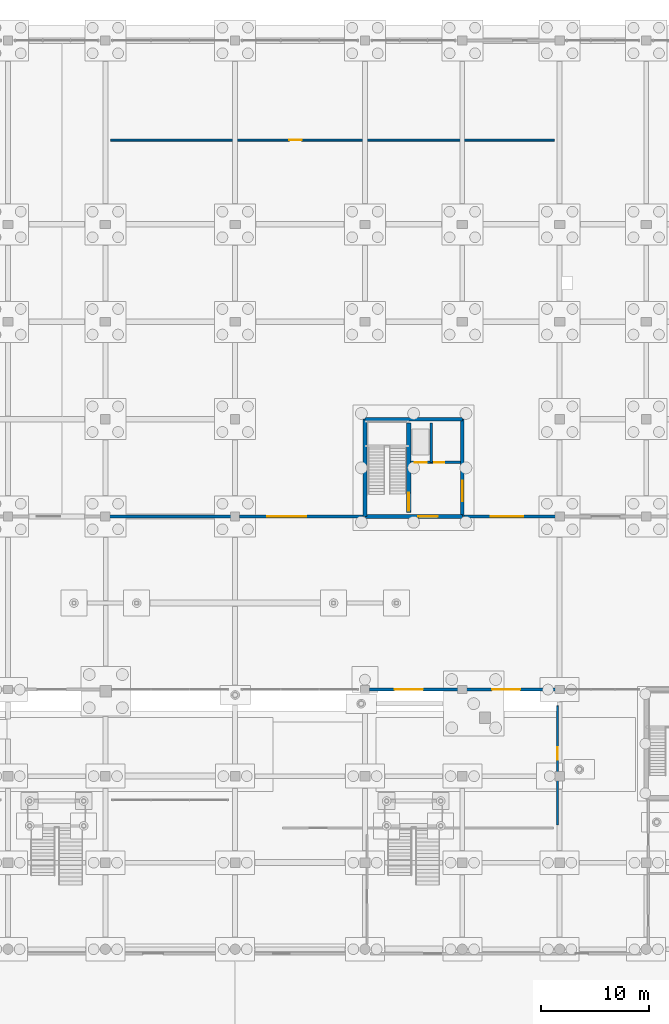
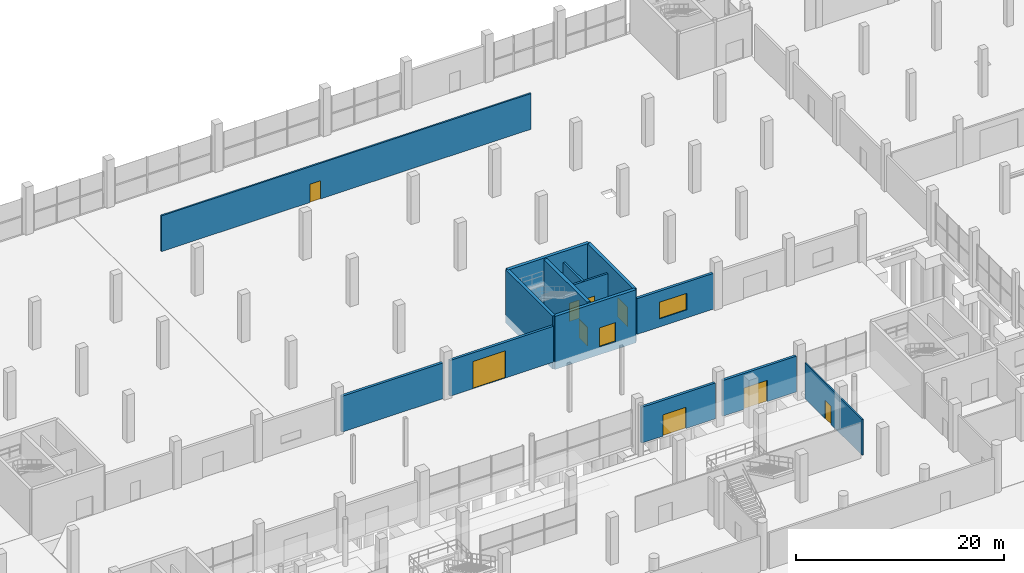
# One storey, part 77 of 98: 14 walls, 10 doors, 1 window, 11 openings.
"""IFC4 building model written with IfcOpenShell, lengths in metres."""

import ifcopenshell
import ifcopenshell.guid

model = None  # the IFC model being written
_history = None  # IfcOwnerHistory: only IFC2X3 demands one
_inside = {}  # id of a spatial element -> (the spatial element, [elements in it])
_under = {}  # id of a project, library or spatial element -> (it, [spatial elements below it])
_declared = {}  # id of a project -> (the project, [libraries it declares])
_typed = {}  # id of a type object -> (the type object, [elements of that type])
_made_of = {}  # id of a material, layer set ... -> (it, [elements and type objects made of it])


def new_model(schema):
    """Start an empty IFC model of exactly this schema.

    Asked for "IFC4X3", IfcOpenShell would pick the latest addendum, in which some entities
    have other attributes; the version numbers below select the first issue.
    IFC2X3 requires an IfcOwnerHistory on every rooted entity: one is made here for all.
    """
    global model, _history
    if schema == "IFC4X3":
        model = ifcopenshell.file(schema_version=(4, 3, 0, 0))
    else:
        model = ifcopenshell.file(schema=schema)
    _inside.clear()
    _under.clear()
    _declared.clear()
    _typed.clear()
    _made_of.clear()
    _history = None
    if model.schema == "IFC2X3":
        org = make("IfcOrganization", Name="unknown")
        user = make(
            "IfcPersonAndOrganization",
            ThePerson=make("IfcPerson", FamilyName="unknown"),
            TheOrganization=org,
        )
        app = make(
            "IfcApplication",
            ApplicationDeveloper=org,
            Version="unknown",
            ApplicationFullName="unknown",
            ApplicationIdentifier="unknown",
        )
        _history = make(
            "IfcOwnerHistory",
            OwningUser=user,
            OwningApplication=app,
            ChangeAction="ADDED",
            CreationDate=0,
        )
    return model


def make(cls, **values):
    """One entity of the class cls with the attributes given. An attribute that is None is left unset."""
    return model.create_entity(
        cls, **{name: value for name, value in values.items() if value is not None}
    )


def rooted(cls, **values):
    """An entity with a GlobalId (a new one), such as an element, a storey or a relation."""
    return make(cls, GlobalId=ifcopenshell.guid.new(), OwnerHistory=_history, **values)


def si_unit(unit_type, name, prefix=None):
    """IfcSIUnit, for example si_unit("LENGTHUNIT", "METRE", prefix="MILLI")."""
    return make("IfcSIUnit", UnitType=unit_type, Prefix=prefix, Name=name)


def derived_unit(unit_type, elements):
    """IfcDerivedUnit: a product of units, each with its exponent."""
    return make(
        "IfcDerivedUnit",
        Elements=[
            make("IfcDerivedUnitElement", Unit=unit, Exponent=power)
            for unit, power in elements
        ],
        UnitType=unit_type,
    )


def assignment(units):
    """IfcUnitAssignment: the units of a project."""
    return None if units is None else make("IfcUnitAssignment", Units=units)


def point(xyz):
    """IfcCartesianPoint."""
    return None if xyz is None else make("IfcCartesianPoint", Coordinates=xyz)


def direction(xyz):
    """IfcDirection."""
    return None if xyz is None else make("IfcDirection", DirectionRatios=xyz)


def frame(location, z_axis=None, x_axis=None):
    """IfcAxis2Placement3D, a coordinate frame: its origin and axes. An axis left out is left unset."""
    return make(
        "IfcAxis2Placement3D",
        Location=point(location),
        Axis=direction(z_axis),
        RefDirection=direction(x_axis),
    )


def frame_2d(location, x_axis=None):
    """IfcAxis2Placement2D, a coordinate frame in the plane: its origin and x axis."""
    return make(
        "IfcAxis2Placement2D", Location=point(location), RefDirection=direction(x_axis)
    )


def origin():
    """The frame at (0, 0, 0) with its axes left unset."""
    return frame((0.0, 0.0, 0.0))


def place(relative_to, where):
    """IfcLocalPlacement: puts the frame where relative to a parent placement (None: the world)."""
    return make(
        "IfcLocalPlacement", PlacementRelTo=relative_to, RelativePlacement=where
    )


def context(
    kind, dimensions, precision=None, world=None, true_north=None, identifier=None
):
    """IfcGeometricRepresentationContext, for example the 3D "Model" context."""
    return make(
        "IfcGeometricRepresentationContext",
        ContextIdentifier=identifier,
        ContextType=kind,
        CoordinateSpaceDimension=dimensions,
        Precision=precision,
        WorldCoordinateSystem=world,
        TrueNorth=true_north,
    )


def subcontext(parent, identifier, kind, view, scale=None):
    """IfcGeometricRepresentationSubContext, for example "Body" below "Model"."""
    return make(
        "IfcGeometricRepresentationSubContext",
        ContextIdentifier=identifier,
        ContextType=kind,
        ParentContext=parent,
        TargetScale=scale,
        TargetView=view,
    )


def project(units=None, contexts=None):
    """IfcProject with its units and contexts."""
    return rooted(
        "IfcProject",
        Name="project",
        RepresentationContexts=contexts,
        UnitsInContext=assignment(units),
    )


def spatial(cls, under=None, at=None, **own):
    """A site, building, storey or space (cls), placed at a placement, below another one or the project."""
    s = rooted(cls, ObjectPlacement=at, **own)
    if under is not None:
        _under.setdefault(under.id(), (under, []))[1].append(s)
    return s


def profile(cls, at=None, kind="AREA", **sizes):
    """A parametric profile (cls). Its sizes go by their IFC names, for example OverallWidth=200.0."""
    return make(cls, ProfileType=kind, Position=at, **sizes)


def rectangle(**sizes):
    """IfcRectangleProfileDef."""
    return profile("IfcRectangleProfileDef", **sizes)


def extrude(swept, where, along, depth):
    """IfcExtrudedAreaSolid: the profile swept, set in the frame where, extruded along a direction by depth."""
    return make(
        "IfcExtrudedAreaSolid",
        SweptArea=swept,
        Position=where,
        ExtrudedDirection=direction(along),
        Depth=depth,
    )


def shape(context_of_items, identifier, shape_type, items):
    """IfcShapeRepresentation: the items that make up one representation, for example the "Body"."""
    return make(
        "IfcShapeRepresentation",
        ContextOfItems=context_of_items,
        RepresentationIdentifier=identifier,
        RepresentationType=shape_type,
        Items=items,
    )


def material(Name=None, Category=None):
    """IfcMaterial."""
    return make("IfcMaterial", Name=Name, Category=Category)


def layer(
    of_material, thickness, ventilated=None, Name=None, Category=None, Priority=None
):
    """IfcMaterialLayer: one layer of a wall or slab, of a material (None: an air gap)."""
    return make(
        "IfcMaterialLayer",
        Material=of_material,
        LayerThickness=thickness,
        IsVentilated=ventilated,
        Name=Name,
        Category=Category,
        Priority=Priority,
    )


def layer_set(layers, Name=None):
    """IfcMaterialLayerSet."""
    return make("IfcMaterialLayerSet", MaterialLayers=layers, LayerSetName=Name)


def made_of(thing, what):
    """Note that an element or type object is made of a material, layer set ...; save() writes the relation."""
    if what is not None:
        _made_of.setdefault(what.id(), (what, []))[1].append(thing)
    return thing


def type_object(cls, material=None, **own):
    """A type object (cls), such as IfcWallType, which elements share."""
    return made_of(rooted(cls, **own), material)


def element(
    cls,
    number,
    at=None,
    inside=None,
    cuts=None,
    type_object=None,
    material=None,
    context=None,
    identifier="Body",
    shape_type=None,
    held_by="IfcProductDefinitionShape",
    body=None,
    shapes=None,
    **own,
):
    """One element of the class cls, such as IfcWall. Its Tag is "e" and its number.

    at: its placement. inside: the storey or other place that contains it. cuts: it is an
    opening in that element (IfcRelVoidsElement). A single representation is given by context,
    identifier, shape_type and body (its items); several are given by shapes. held_by: the class
    of the entity that holds the representations. save() writes the other relations.
    """
    e = rooted(cls, Tag="e%d" % number, ObjectPlacement=at, **own)
    if body is not None:
        shapes = [shape(context, identifier, shape_type, body)]
    if shapes is not None:
        e.Representation = make(held_by, Representations=shapes)
    if inside is not None:
        _inside.setdefault(inside.id(), (inside, []))[1].append(e)
    if cuts is not None:
        rooted(
            "IfcRelVoidsElement", RelatingBuildingElement=cuts, RelatedOpeningElement=e
        )
    if type_object is not None:
        _typed.setdefault(type_object.id(), (type_object, []))[1].append(e)
    return made_of(e, material)


def fill(opening, filler):
    """IfcRelFillsElement: the door or window that sits in an opening."""
    return rooted(
        "IfcRelFillsElement",
        RelatingOpeningElement=opening,
        RelatedBuildingElement=filler,
    )


def aggregate(whole, parts):
    """IfcRelAggregates: a whole, such as a stair, and the parts it consists of."""
    return rooted("IfcRelAggregates", RelatingObject=whole, RelatedObjects=parts)


def save(model, path):
    """Write the relations noted so far, then the file.

    IfcRelAggregates (storeys below a building ...), IfcRelContainedInSpatialStructure (elements
    in a storey), IfcRelDefinesByType, IfcRelAssociatesMaterial and IfcRelDeclares: one each for
    every whole, place, type object, material and project.
    """
    for whole, parts in _under.values():
        aggregate(whole, parts)
    for where, things in _inside.values():
        rooted(
            "IfcRelContainedInSpatialStructure",
            RelatedElements=things,
            RelatingStructure=where,
        )
    for kind, things in _typed.values():
        rooted("IfcRelDefinesByType", RelatedObjects=things, RelatingType=kind)
    for what, things in _made_of.values():
        rooted("IfcRelAssociatesMaterial", RelatedObjects=things, RelatingMaterial=what)
    for by, libraries in _declared.values():
        rooted("IfcRelDeclares", RelatingContext=by, RelatedDefinitions=libraries)
    model.write(path)


model = new_model("IFC4")

# Units and contexts
model_context = context("Model", 3, precision=1e-05, world=origin(), true_north=direction((0.0, 1.0)))
body_context = subcontext(model_context, "Body", "Model", "MODEL_VIEW")
ifc_project = project(units=[si_unit("LENGTHUNIT", "METRE"), si_unit("AREAUNIT", "SQUARE_METRE"), si_unit("VOLUMEUNIT", "CUBIC_METRE"), si_unit("PLANEANGLEUNIT", "RADIAN"), si_unit("MASSUNIT", "GRAM", prefix="KILO"), si_unit("THERMODYNAMICTEMPERATUREUNIT", "KELVIN"), derived_unit("THERMALTRANSMITTANCEUNIT", [(si_unit("POWERUNIT", "WATT"), 1), (si_unit("AREAUNIT", "SQUARE_METRE"), -1), (si_unit("THERMODYNAMICTEMPERATUREUNIT", "KELVIN"), -1)])], contexts=[model_context])

# Site, building, storey
site_placement = place(None, origin())
site = spatial("IfcSite", under=ifc_project, at=site_placement, CompositionType="ELEMENT")
building_placement = place(site_placement, origin())
building = spatial("IfcBuilding", under=site, at=building_placement, Name="Haiyu Intermodal Mobility Hub", CompositionType="ELEMENT")
storey_placement = place(building_placement, origin())
storey = spatial("IfcBuildingStorey", under=building, at=storey_placement, Name="L00", CompositionType="ELEMENT", Elevation=0.0)

# Wall, opening, door
ifc_material_1 = material(Name="Anodised aluminium 6063-T6", Category="aluminium")
ifc_layer_1 = layer(ifc_material_1, 0.280029296875)
ifc_layer_set_1 = layer_set([ifc_layer_1], Name="Anodised aluminium 6063-T6")
wall_type_1 = type_object("IfcWallType", Name="WAL-WE02", PredefinedType="STANDARD", material=ifc_layer_set_1)
wall_1_placement = place(storey_placement, frame((128.594970703125, 88.0, 0.0), z_axis=(0.0, 0.0, 1.0), x_axis=(-1.0, 0.0, 0.0)))
wall_1 = element("IfcWall", 1, at=wall_1_placement, inside=storey, type_object=wall_type_1, Name="WAL-V1N-003", PredefinedType="STANDARD", context=body_context, shape_type="SweptSolid", body=[
    extrude(rectangle(XDim=8.18994140625, YDim=0.280029296875, at=frame_2d((4.094970703125, 0.0))), origin(), (0.0, 0.0, 1.0), 4.199951171875),
])
opening_1_placement = place(wall_1_placement, frame((3.2451171875, 0.0, 0.0)))
opening_1 = element("IfcOpeningElement", 2, at=opening_1_placement, cuts=wall_1, Name="Opening DE01", PredefinedType="OPENING", context=body_context, shape_type="SweptSolid", body=[
    extrude(rectangle(XDim=2.60009765625, YDim=2.5, at=frame_2d((1.300048828125, 1.25))), frame((0.0, 0.14990234375, 0.0), z_axis=(0.0, -1.0, 0.0), x_axis=(1.0, 0.0, 0.0)), (0.0, 0.0, 1.0), 0.300048828125),
])
door_type_1 = type_object("IfcDoorType", Name="DR-DE01", OperationType="DOUBLE_DOOR_SLIDING", PredefinedType="DOOR", material=ifc_material_1)
door_1_placement = place(opening_1_placement, origin())
door_1 = element("IfcDoor", 3, at=door_1_placement, inside=storey, type_object=door_type_1, Name="WAL-V1N-003-DR01", OperationType="DOUBLE_SWING_LEFT", OverallHeight=2.5, OverallWidth=2.60009765625, PredefinedType="DOOR", context=body_context, shape_type="SweptSolid", body=[
    extrude(rectangle(XDim=2.60009765625, YDim=2.5, at=frame_2d((1.300048828125, 1.25))), frame((0.0, 0.02490234375, 0.0), z_axis=(0.0, -1.0, 0.0), x_axis=(1.0, 0.0, 0.0)), (0.0, 0.0, 1.0), 0.050048828125),
])
fill(opening_1, door_1)

wall_2_placement = place(storey_placement, frame((137.594970703125, 88.0, 0.0), z_axis=(0.0, 0.0, 1.0), x_axis=(-1.0, 0.0, 0.0)))
wall_2 = element("IfcWall", 4, at=wall_2_placement, inside=storey, type_object=wall_type_1, Name="WAL-V1N-004", PredefinedType="STANDARD", context=body_context, shape_type="SweptSolid", body=[
    extrude(rectangle(XDim=8.18994140625, YDim=0.280029296875, at=frame_2d((4.094970703125, 0.0))), origin(), (0.0, 0.0, 1.0), 4.199951171875),
])
opening_2_placement = place(wall_2_placement, frame((3.2451171875, 0.0, 0.0)))
opening_2 = element("IfcOpeningElement", 5, at=opening_2_placement, cuts=wall_2, Name="Opening DE01", PredefinedType="OPENING", context=body_context, shape_type="SweptSolid", body=[
    extrude(rectangle(XDim=2.60009765625, YDim=2.5, at=frame_2d((1.300048828125, 1.25))), frame((0.0, 0.14990234375, 0.0), z_axis=(0.0, -1.0, 0.0), x_axis=(1.0, 0.0, 0.0)), (0.0, 0.0, 1.0), 0.300048828125),
])
door_2_placement = place(opening_2_placement, origin())
door_2 = element("IfcDoor", 6, at=door_2_placement, inside=storey, type_object=door_type_1, Name="WAL-V1N-004-DR01", OperationType="DOUBLE_SWING_LEFT", OverallHeight=2.5, OverallWidth=2.60009765625, PredefinedType="DOOR", context=body_context, shape_type="SweptSolid", body=[
    extrude(rectangle(XDim=2.60009765625, YDim=2.5, at=frame_2d((1.300048828125, 1.25))), frame((0.0, 0.02490234375, 0.0), z_axis=(0.0, -1.0, 0.0), x_axis=(1.0, 0.0, 0.0)), (0.0, 0.0, 1.0), 0.050048828125),
])
fill(opening_2, door_2)

# Wall
wall_3_placement = place(storey_placement, frame((96.405029296875, 104.0, 0.0), z_axis=(0.0, 0.0, 1.0), x_axis=(1.0, 0.0, 0.0)))
element("IfcWall", 7, at=wall_3_placement, inside=storey, type_object=wall_type_1, Name="WAL-V4S-L00-125", PredefinedType="STANDARD", context=body_context, shape_type="SweptSolid", body=[
    extrude(rectangle(XDim=11.18994140625, YDim=0.280029296875, at=frame_2d((5.594970703125, 0.0))), origin(), (0.0, 0.0, 1.0), 4.199951171875),
])

# Wall, opening, door
wall_4_placement = place(storey_placement, frame((108.405029296875, 104.0, 0.0), z_axis=(0.0, 0.0, 1.0), x_axis=(1.0, 0.0, 0.0)))
wall_4 = element("IfcWall", 8, at=wall_4_placement, inside=storey, type_object=wall_type_1, Name="WAL-V4S-L00-131", PredefinedType="STANDARD", context=body_context, shape_type="SweptSolid", body=[
    extrude(rectangle(XDim=11.455078125, YDim=0.280029296875, at=frame_2d((5.7275390625, 0.0))), origin(), (0.0, 0.0, 1.0), 4.199951171875),
])
opening_3_placement = place(wall_4_placement, frame((2.544921875, 0.0, 0.0)))
opening_3 = element("IfcOpeningElement", 9, at=opening_3_placement, cuts=wall_4, Name="Opening VG03", PredefinedType="OPENING", context=body_context, shape_type="SweptSolid", body=[
    extrude(rectangle(XDim=3.60009765625, YDim=3.199951171875, at=frame_2d((1.800048828125, 1.60009765625))), frame((0.0, 0.14990234375, 0.0), z_axis=(0.0, -1.0, 0.0), x_axis=(1.0, 0.0, 0.0)), (0.0, 0.0, 1.0), 0.300048828125),
])
door_type_2 = type_object("IfcDoorType", Name="DR-VG03", OperationType="ROLLINGUP", PredefinedType="GATE", material=ifc_material_1)
door_3_placement = place(opening_3_placement, origin())
door_3 = element("IfcDoor", 10, at=door_3_placement, inside=storey, type_object=door_type_2, Name="WAL-V4S-L00-131-DR01", OperationType="ROLLINGUP", OverallHeight=3.199951171875, OverallWidth=3.60009765625, PredefinedType="GATE", context=body_context, shape_type="SweptSolid", body=[
    extrude(rectangle(XDim=3.60009765625, YDim=3.199951171875, at=frame_2d((1.800048828125, 1.60009765625))), frame((0.0, 0.02490234375, 0.0), z_axis=(0.0, -1.0, 0.0), x_axis=(1.0, 0.0, 0.0)), (0.0, 0.0, 1.0), 0.050048828125),
])
fill(opening_3, door_3)

# Wall, opening, window
wall_5_placement = place(storey_placement, frame((129.139892578125, 104.0, 0.0), z_axis=(0.0, 0.0, 1.0), x_axis=(1.0, 0.0, 0.0)))
wall_5 = element("IfcWall", 11, at=wall_5_placement, inside=storey, type_object=wall_type_1, Name="WAL-V4S-L00-137", PredefinedType="STANDARD", context=body_context, shape_type="SweptSolid", body=[
    extrude(rectangle(XDim=8.455078125, YDim=0.280029296875, at=frame_2d((4.2275390625, 0.0))), origin(), (0.0, 0.0, 1.0), 4.199951171875),
])
opening_4_placement = place(wall_5_placement, frame((2.510009765625, 0.0, 0.949951171875)))
opening_4 = element("IfcOpeningElement", 12, at=opening_4_placement, cuts=wall_5, Name="Opening WN15", PredefinedType="OPENING", context=body_context, shape_type="SweptSolid", body=[
    extrude(rectangle(XDim=3.0, YDim=1.949951171875, at=frame_2d((1.5, 0.97509765625))), frame((0.0, 0.14990234375, 0.0), z_axis=(0.0, -1.0, 0.0), x_axis=(1.0, 0.0, 0.0)), (0.0, 0.0, 1.0), 0.300048828125),
])
ifc_material_2 = material(Name="Low-e laminated insulating glass", Category="glass")
window_type = type_object("IfcWindowType", Name="WIN-WN15", PartitioningType="DOUBLE_PANEL_VERTICAL", PredefinedType="WINDOW", material=ifc_material_2)
window_placement = place(opening_4_placement, origin())
window = element("IfcWindow", 13, at=window_placement, inside=storey, type_object=window_type, Name="WAL-V4S-L00-137-WN01", OverallHeight=1.949951171875, OverallWidth=3.0, PartitioningType="SINGLE_PANEL", PredefinedType="WINDOW", context=body_context, shape_type="SweptSolid", body=[
    extrude(rectangle(XDim=3.0, YDim=1.949951171875, at=frame_2d((1.5, 0.97509765625))), frame((0.0, 0.030029296875, 0.0), z_axis=(0.0, -1.0, 0.0), x_axis=(1.0, 0.0, 0.0)), (0.0, 0.0, 1.0), 0.06005859375),
])
fill(opening_4, window)

# Wall
ifc_material_3 = material(Name="Autoclaved aerated concrete block A5.0", Category="concrete")
ifc_layer_2 = layer(ifc_material_3, 0.22998046875)
ifc_layer_set_2 = layer_set([ifc_layer_2], Name="Autoclaved aerated concrete block A5.0")
wall_type_2 = type_object("IfcWallType", Name="WAL-WI01", PredefinedType="PARTITIONING", material=ifc_layer_set_2)
wall_6_placement = place(storey_placement, frame((126.1298828125, 109.0, 0.0), z_axis=(0.0, 0.0, 1.0), x_axis=(0.0, 1.0, 0.0)))
element("IfcWall", 14, at=wall_6_placement, inside=storey, type_object=wall_type_2, Name="WAL-CORE-C6-LSH-L00", PredefinedType="PARTITIONING", context=body_context, shape_type="SweptSolid", body=[
    extrude(rectangle(XDim=3.64990234375, YDim=0.22998046875, at=frame_2d((1.824951171875, 0.0))), origin(), (0.0, 0.0, 1.0), 4.199951171875),
])

# Wall, openings, doors
wall_7_placement = place(storey_placement, frame((124.2099609375, 109.0, 0.0), z_axis=(0.0, 0.0, 1.0), x_axis=(1.0, 0.0, 0.0)))
wall_7 = element("IfcWall", 15, at=wall_7_placement, inside=storey, type_object=wall_type_2, Name="WAL-CORE-C6-LFT-L00", PredefinedType="PARTITIONING", context=body_context, shape_type="SweptSolid", body=[
    extrude(rectangle(XDim=4.630126953125, YDim=0.22998046875, at=frame_2d((2.31494140625, 0.0))), origin(), (0.0, 0.0, 1.0), 4.199951171875),
])
opening_5_placement = place(wall_7_placement, frame((0.3798828125, 0.0, 0.0)))
opening_5 = element("IfcOpeningElement", 16, at=opening_5_placement, cuts=wall_7, Name="Opening LD01", PredefinedType="OPENING", context=body_context, shape_type="SweptSolid", body=[
    extrude(rectangle(XDim=1.10009765625, YDim=2.14990234375, at=frame_2d((0.550048828125, 1.074951171875))), frame((0.0, 0.125, 0.0), z_axis=(0.0, -1.0, 0.0), x_axis=(1.0, 0.0, 0.0)), (0.0, 0.0, 1.0), 0.25),
])
opening_6_placement = place(wall_7_placement, frame((2.179931640625, 0.0, 0.0)))
opening_6 = element("IfcOpeningElement", 17, at=opening_6_placement, cuts=wall_7, Name="Opening DI07", PredefinedType="OPENING", context=body_context, shape_type="SweptSolid", body=[
    extrude(rectangle(XDim=0.949951171875, YDim=2.10009765625, at=frame_2d((0.47509765625, 1.050048828125))), frame((0.0, 0.125, 0.0), z_axis=(0.0, -1.0, 0.0), x_axis=(1.0, 0.0, 0.0)), (0.0, 0.0, 1.0), 0.25),
])
ifc_material_4 = material(Name="Steel Q355C", Category="steel")
door_type_3 = type_object("IfcDoorType", Name="DR-DI07", OperationType="NOTDEFINED", PredefinedType="DOOR", material=ifc_material_4)
door_4_placement = place(opening_6_placement, origin())
door_4 = element("IfcDoor", 18, at=door_4_placement, inside=storey, type_object=door_type_3, Name="Core C6 Accessible WC Door L00", OperationType="SINGLE_SWING_RIGHT", OverallHeight=2.10009765625, OverallWidth=0.949951171875, PredefinedType="DOOR", context=body_context, shape_type="SweptSolid", body=[
    extrude(rectangle(XDim=0.949951171875, YDim=2.10009765625, at=frame_2d((0.47509765625, 1.050048828125))), frame((0.0, 0.02490234375, 0.0), z_axis=(0.0, -1.0, 0.0), x_axis=(1.0, 0.0, 0.0)), (0.0, 0.0, 1.0), 0.050048828125),
])
fill(opening_6, door_4)
door_type_4 = type_object("IfcDoorType", Name="DR-LD01", OperationType="DOUBLE_DOOR_SLIDING", PredefinedType="DOOR", material=ifc_material_4)
door_5_placement = place(opening_5_placement, origin())
door_5 = element("IfcDoor", 19, at=door_5_placement, inside=storey, type_object=door_type_4, Name="Lift FL-03 Sliding Landing Door L00", OperationType="SLIDING_TO_LEFT", OverallHeight=2.14990234375, OverallWidth=1.10009765625, PredefinedType="DOOR", context=body_context, shape_type="SweptSolid", body=[
    extrude(rectangle(XDim=1.10009765625, YDim=2.14990234375, at=frame_2d((0.550048828125, 1.074951171875))), frame((0.0, 0.02490234375, 0.0), z_axis=(0.0, -1.0, 0.0), x_axis=(1.0, 0.0, 0.0)), (0.0, 0.0, 1.0), 0.050048828125),
])
fill(opening_5, door_5)

# Wall, opening, door
ifc_layer_3 = layer(ifc_material_3, 0.179931640625)
ifc_layer_set_3 = layer_set([ifc_layer_3], Name="Autoclaved aerated concrete block A5.0")
wall_type_3 = type_object("IfcWallType", Name="WAL-WI03", PredefinedType="PARTITIONING", material=ifc_layer_set_3)
wall_8_placement = place(storey_placement, frame((96.5, 138.800048828125, 0.0), z_axis=(0.0, 0.0, 1.0), x_axis=(1.0, 0.0, 0.0)))
wall_8 = element("IfcWall", 20, at=wall_8_placement, inside=storey, type_object=wall_type_3, Name="WAL-INT-0027", PredefinedType="PARTITIONING", context=body_context, shape_type="SweptSolid", body=[
    extrude(rectangle(XDim=41.0, YDim=0.179931640625, at=frame_2d((20.5, 0.0))), origin(), (0.0, 0.0, 1.0), 4.199951171875),
])
opening_7_placement = place(wall_8_placement, frame((16.5, 0.0, 0.0)))
opening_7 = element("IfcOpeningElement", 21, at=opening_7_placement, cuts=wall_8, Name="Opening DI05", PredefinedType="OPENING", context=body_context, shape_type="SweptSolid", body=[
    extrude(rectangle(XDim=1.14990234375, YDim=2.14990234375, at=frame_2d((0.574951171875, 1.074951171875))), frame((0.0, 0.10009765625, 0.0), z_axis=(0.0, -1.0, 0.0), x_axis=(1.0, 0.0, 0.0)), (0.0, 0.0, 1.0), 0.199951171875),
])
door_type_5 = type_object("IfcDoorType", Name="DR-DI05", OperationType="NOTDEFINED", PredefinedType="DOOR", material=ifc_material_4)
door_6_placement = place(opening_7_placement, origin())
door_6 = element("IfcDoor", 22, at=door_6_placement, inside=storey, type_object=door_type_5, Name="Security Office Door", OperationType="SINGLE_SWING_RIGHT", OverallHeight=2.14990234375, OverallWidth=1.14990234375, PredefinedType="DOOR", context=body_context, shape_type="SweptSolid", body=[
    extrude(rectangle(XDim=1.14990234375, YDim=2.14990234375, at=frame_2d((0.574951171875, 1.074951171875))), frame((0.0, 0.02490234375, 0.0), z_axis=(0.0, -1.0, 0.0), x_axis=(1.0, 0.0, 0.0)), (0.0, 0.0, 1.0), 0.050048828125),
])
fill(opening_7, door_6)

ifc_material_5 = material(Name="Fire-rated gypsum and rockwool partition", Category="gypsum")
ifc_layer_4 = layer(ifc_material_5, 0.14990234375)
ifc_layer_set_4 = layer_set([ifc_layer_4], Name="Fire-rated gypsum and rockwool partition")
wall_type_4 = type_object("IfcWallType", Name="WAL-WI04", PredefinedType="PARTITIONING", material=ifc_layer_set_4)
wall_9_placement = place(storey_placement, frame((137.800048828125, 75.5, 0.0), z_axis=(0.0, 0.0, 1.0), x_axis=(0.0, 1.0, 0.0)))
wall_9 = element("IfcWall", 23, at=wall_9_placement, inside=storey, type_object=wall_type_4, Name="WAL-INT-0006", PredefinedType="PARTITIONING", context=body_context, shape_type="SweptSolid", body=[
    extrude(rectangle(XDim=11.0, YDim=0.14990234375, at=frame_2d((5.5, 0.0))), origin(), (0.0, 0.0, 1.0), 4.199951171875),
])
opening_8_placement = place(wall_9_placement, frame((6.0, 0.0, 0.0)))
opening_8 = element("IfcOpeningElement", 24, at=opening_8_placement, cuts=wall_9, Name="Opening DI05", PredefinedType="OPENING", context=body_context, shape_type="SweptSolid", body=[
    extrude(rectangle(XDim=1.14990234375, YDim=2.14990234375, at=frame_2d((0.574951171875, 1.074951171875))), frame((0.0, 0.0849609375, 0.0), z_axis=(0.0, -1.0, 0.0), x_axis=(1.0, 0.0, 0.0)), (0.0, 0.0, 1.0), 0.169921875),
])
door_7_placement = place(opening_8_placement, origin())
door_7 = element("IfcDoor", 25, at=door_7_placement, inside=storey, type_object=door_type_5, Name="Travel Shop Door", OperationType="SINGLE_SWING_LEFT", OverallHeight=2.14990234375, OverallWidth=1.14990234375, PredefinedType="DOOR", context=body_context, shape_type="SweptSolid", body=[
    extrude(rectangle(XDim=1.14990234375, YDim=2.14990234375, at=frame_2d((0.574951171875, 1.074951171875))), frame((0.0, 0.02490234375, 0.0), z_axis=(0.0, -1.0, 0.0), x_axis=(1.0, 0.0, 0.0)), (0.0, 0.0, 1.0), 0.050048828125),
])
fill(opening_8, door_7)

ifc_material_6 = material(Name="Concrete C40", Category="concrete")
ifc_layer_5 = layer(ifc_material_6, 0.35009765625)
ifc_layer_set_5 = layer_set([ifc_layer_5], Name="Concrete C40")
wall_type_5 = type_object("IfcWallType", Name="WAL-WS02", PredefinedType="SHEAR", material=ifc_layer_set_5)
wall_10_placement = place(storey_placement, frame((120.0, 104.0, -0.89990234375), z_axis=(0.0, 0.0, 1.0), x_axis=(1.0, 0.0, 0.0)))
wall_10 = element("IfcWall", 26, at=wall_10_placement, inside=storey, type_object=wall_type_5, Name="WAL-CORE-C6-S-L00", PredefinedType="SHEAR", context=body_context, shape_type="SweptSolid", body=[
    extrude(rectangle(XDim=9.0, YDim=0.35009765625, at=frame_2d((4.5, 0.0))), origin(), (0.0, 0.0, 1.0), 6.219970703125),
])
opening_9_placement = place(wall_10_placement, frame((4.949951171875, 0.0, 0.89990234375)))
opening_9 = element("IfcOpeningElement", 27, at=opening_9_placement, cuts=wall_10, Name="Opening DE04", PredefinedType="OPENING", context=body_context, shape_type="SweptSolid", body=[
    extrude(rectangle(XDim=1.800048828125, YDim=2.25, at=frame_2d((0.89990234375, 1.125))), frame((0.0, 0.18505859375, 0.0), z_axis=(0.0, -1.0, 0.0), x_axis=(1.0, 0.0, 0.0)), (0.0, 0.0, 1.0), 0.3701171875),
])
door_type_6 = type_object("IfcDoorType", Name="DR-DE04", OperationType="DOUBLE_DOOR_SINGLE_SWING", PredefinedType="DOOR", material=ifc_material_4)
door_8_placement = place(opening_9_placement, origin())
door_8 = element("IfcDoor", 28, at=door_8_placement, inside=storey, type_object=door_type_6, Name="Core C6 Final Exterior Exit Door L00", OperationType="DOUBLE_SWING_LEFT", OverallHeight=2.25, OverallWidth=1.800048828125, PredefinedType="DOOR", context=body_context, shape_type="SweptSolid", body=[
    extrude(rectangle(XDim=1.800048828125, YDim=2.25, at=frame_2d((0.89990234375, 1.125))), frame((0.0, 0.02490234375, 0.0), z_axis=(0.0, -1.0, 0.0), x_axis=(1.0, 0.0, 0.0)), (0.0, 0.0, 1.0), 0.050048828125),
])
fill(opening_9, door_8)

wall_11_placement = place(storey_placement, frame((129.0, 104.0, -0.89990234375), z_axis=(0.0, 0.0, 1.0), x_axis=(0.0, 1.0, 0.0)))
wall_11 = element("IfcWall", 29, at=wall_11_placement, inside=storey, type_object=wall_type_5, Name="WAL-CORE-C6-E-L00", PredefinedType="SHEAR", context=body_context, shape_type="SweptSolid", body=[
    extrude(rectangle(XDim=9.0, YDim=0.35009765625, at=frame_2d((4.5, 0.0))), origin(), (0.0, 0.0, 1.0), 6.219970703125),
])
opening_10_placement = place(wall_11_placement, frame((1.39990234375, 0.0, 0.89990234375)))
opening_10 = element("IfcOpeningElement", 30, at=opening_10_placement, cuts=wall_11, Name="Opening DI01", PredefinedType="OPENING", context=body_context, shape_type="SweptSolid", body=[
    extrude(rectangle(XDim=1.89990234375, YDim=2.300048828125, at=frame_2d((0.949951171875, 1.14990234375))), frame((0.0, 0.18505859375, 0.0), z_axis=(0.0, -1.0, 0.0), x_axis=(1.0, 0.0, 0.0)), (0.0, 0.0, 1.0), 0.3701171875),
])
door_type_7 = type_object("IfcDoorType", Name="DR-DI01", OperationType="DOUBLE_DOOR_SINGLE_SWING", PredefinedType="DOOR", material=ifc_material_4)
door_9_placement = place(opening_10_placement, origin())
door_9 = element("IfcDoor", 31, at=door_9_placement, inside=storey, type_object=door_type_7, Name="Core C6 Lobby Fire Door L00", OperationType="SINGLE_SWING_RIGHT", OverallHeight=2.300048828125, OverallWidth=1.89990234375, PredefinedType="DOOR", context=body_context, shape_type="SweptSolid", body=[
    extrude(rectangle(XDim=1.89990234375, YDim=2.300048828125, at=frame_2d((0.949951171875, 1.14990234375))), frame((0.0, 0.02490234375, 0.0), z_axis=(0.0, -1.0, 0.0), x_axis=(1.0, 0.0, 0.0)), (0.0, 0.0, 1.0), 0.050048828125),
])
fill(opening_10, door_9)

# Walls
for number, where, z_axis, x_axis, name in (
    (32, (129.0, 113.0, -0.89990234375), (0.0, 0.0, 1.0), (-1.0, 0.0, 0.0), "WAL-CORE-C6-N-L00"),
    (33, (120.0, 113.0, -0.89990234375), (0.0, 0.0, 1.0), (0.0, -1.0, 0.0), "WAL-CORE-C6-W-L00"),
):
    element("IfcWall", number, at=place(storey_placement, frame(where, z_axis=z_axis, x_axis=x_axis)), inside=storey, type_object=wall_type_5, Name=name, PredefinedType="SHEAR", context=body_context, shape_type="SweptSolid", body=[
        extrude(rectangle(XDim=9.0, YDim=0.35009765625, at=frame_2d((4.5, 0.0))), origin(), (0.0, 0.0, 1.0), 6.219970703125),
    ])

# Wall, opening, door
ifc_layer_6 = layer(ifc_material_6, 0.3798828125)
ifc_layer_set_6 = layer_set([ifc_layer_6], Name="Concrete C40")
wall_type_6 = type_object("IfcWallType", Name="WAL-WS03", PredefinedType="SHEAR", material=ifc_layer_set_6)
wall_12_placement = place(storey_placement, frame((124.050048828125, 104.35009765625, -0.89990234375), z_axis=(0.0, 0.0, 1.0), x_axis=(0.0, 1.0, 0.0)))
wall_12 = element("IfcWall", 34, at=wall_12_placement, inside=storey, type_object=wall_type_6, Name="WAL-CORE-C6-MID-L00", PredefinedType="SHEAR", context=body_context, shape_type="SweptSolid", body=[
    extrude(rectangle(XDim=8.2998046875, YDim=0.3798828125, at=frame_2d((4.14990234375, 0.0))), origin(), (0.0, 0.0, 1.0), 6.219970703125),
])
opening_11_placement = place(wall_12_placement, frame((0.179931640625, 0.0, 0.89990234375)))
opening_11 = element("IfcOpeningElement", 35, at=opening_11_placement, cuts=wall_12, Name="Opening DI02", PredefinedType="OPENING", context=body_context, shape_type="SweptSolid", body=[
    extrude(rectangle(XDim=1.64990234375, YDim=2.199951171875, at=frame_2d((0.824951171875, 1.10009765625))), frame((0.0, 0.199951171875, 0.0), z_axis=(0.0, -1.0, 0.0), x_axis=(1.0, 0.0, 0.0)), (0.0, 0.0, 1.0), 0.39990234375),
])
door_type_8 = type_object("IfcDoorType", Name="DR-DI02", OperationType="DOUBLE_DOOR_SINGLE_SWING", PredefinedType="DOOR", material=ifc_material_4)
door_10_placement = place(opening_11_placement, origin())
door_10 = element("IfcDoor", 36, at=door_10_placement, inside=storey, type_object=door_type_8, Name="Stair ST01 Fire Door L00", OperationType="SINGLE_SWING_RIGHT", OverallHeight=2.199951171875, OverallWidth=1.64990234375, PredefinedType="DOOR", context=body_context, shape_type="SweptSolid", body=[
    extrude(rectangle(XDim=1.64990234375, YDim=2.199951171875, at=frame_2d((0.824951171875, 1.10009765625))), frame((0.0, 0.02490234375, 0.0), z_axis=(0.0, -1.0, 0.0), x_axis=(1.0, 0.0, 0.0)), (0.0, 0.0, 1.0), 0.050048828125),
])
fill(opening_11, door_10)

save(model, "model.ifc")
